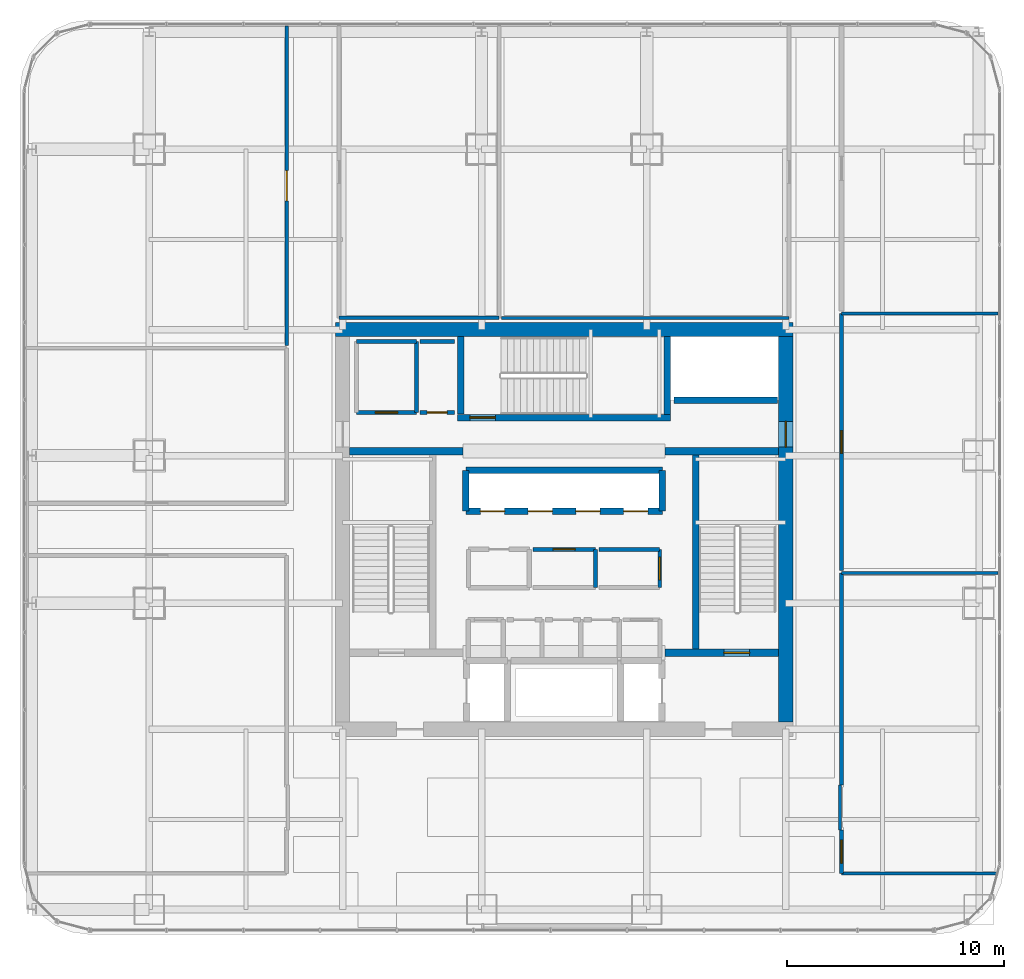
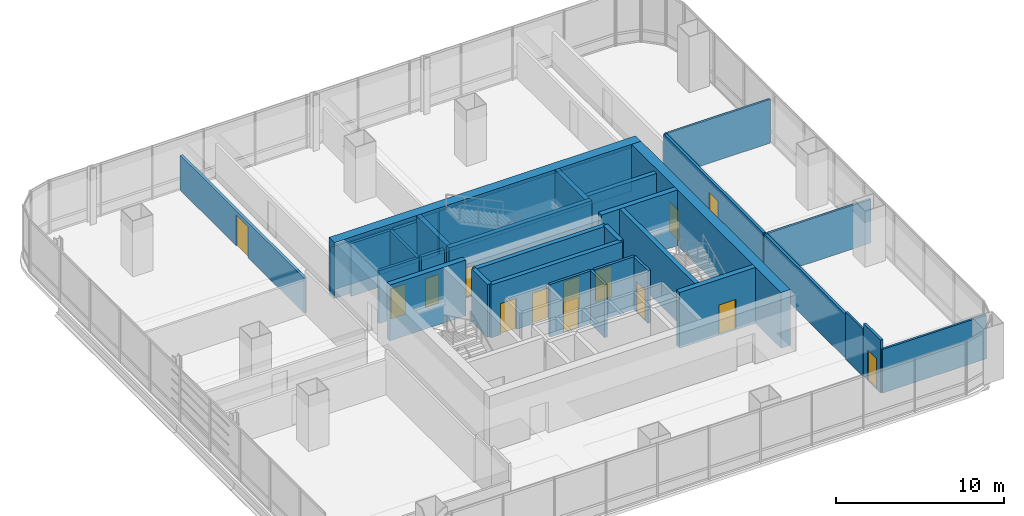
# One storey, part 31 of 38: 33 walls, 14 doors, 14 openings.
"""IFC4 building model written with IfcOpenShell, lengths in metres."""

from ifc_helpers import new_model, si_unit, direction, frame, frame_2d, origin, place, context, subcontext, project, spatial, rectangle, extrude, material, layer, layer_set, type_object, element, fill, save


model = new_model("IFC4")

# Units and contexts
model_context = context("Model", 3, precision=1e-05, world=origin(), true_north=direction((0.0, 1.0)))
body_context = subcontext(model_context, "Body", "Model", "MODEL_VIEW")
ifc_project = project(units=[si_unit("LENGTHUNIT", "METRE"), si_unit("AREAUNIT", "SQUARE_METRE"), si_unit("VOLUMEUNIT", "CUBIC_METRE"), si_unit("PLANEANGLEUNIT", "RADIAN"), si_unit("MASSUNIT", "GRAM", prefix="KILO")], contexts=[model_context])

# Site, building, storey
site_placement = place(None, origin())
site = spatial("IfcSite", under=ifc_project, at=site_placement, CompositionType="ELEMENT")
building_placement = place(site_placement, origin())
building = spatial("IfcBuilding", under=site, at=building_placement, Name="Punatoya Terracotta Tower", CompositionType="ELEMENT")
storey_placement = place(building_placement, frame((0.0, 0.0, 151.949951171875)))
storey = spatial("IfcBuildingStorey", under=building, at=storey_placement, Name="L35", CompositionType="ELEMENT", Elevation=151.949951171875)

# Wall
ifc_material_1 = material(Name="Concrete C60/75", Category="concrete")
ifc_layer_1 = layer(ifc_material_1, 0.64990234375)
ifc_layer_set_1 = layer_set([ifc_layer_1], Name="Concrete C60/75")
wall_type_1 = type_object("IfcWallType", Name="WL-COR-650", PredefinedType="SHEAR", material=ifc_layer_set_1)
wall_1_placement = place(storey_placement, frame((-10.52490234375, 9.199951171875, 0.0), z_axis=(0.0, 0.0, 1.0), x_axis=(1.0, 0.0, 0.0)))
element("IfcWall", 1, at=wall_1_placement, inside=storey, type_object=wall_type_1, Name="L35 Core Shear Wall N", PredefinedType="SHEAR", context=body_context, shape_type="SweptSolid", body=[
    extrude(rectangle(XDim=21.0498046875, YDim=0.64990234375, at=frame_2d((10.52490234375, 0.0))), origin(), (0.0, 0.0, 1.0), 4.050048828125),
])

# Wall, opening, door
wall_2_placement = place(storey_placement, frame((10.199951171875, 8.875, 0.0), z_axis=(0.0, 0.0, 1.0), x_axis=(0.0, -1.0, 0.0)))
wall_2 = element("IfcWall", 2, at=wall_2_placement, inside=storey, type_object=wall_type_1, Name="L35 Core Shear Wall E", PredefinedType="SHEAR", context=body_context, shape_type="SweptSolid", body=[
    extrude(rectangle(XDim=17.75, YDim=0.64990234375, at=frame_2d((8.875, 0.0))), origin(), (0.0, 0.0, 1.0), 4.050048828125),
])
opening_1_placement = place(wall_2_placement, frame((3.905029296875, 0.0, 0.0)))
opening_1 = element("IfcOpeningElement", 3, at=opening_1_placement, cuts=wall_2, Name="Opening SD-01", PredefinedType="OPENING", context=body_context, shape_type="SweptSolid", body=[
    extrude(rectangle(XDim=1.179931640625, YDim=2.199951171875, at=frame_2d((0.58984375, 1.10009765625))), frame((0.0, 0.3349609375, 0.0), z_axis=(0.0, -1.0, 0.0), x_axis=(1.0, 0.0, 0.0)), (0.0, 0.0, 1.0), 0.669921875),
])
ifc_material_2 = material(Name="Galvanised Steel Pressurized Stair Fire Door", Category="steel")
door_type_1 = type_object("IfcDoorType", Name="DR-STR-1180", OperationType="NOTDEFINED", PredefinedType="DOOR", material=ifc_material_2)
door_1_placement = place(opening_1_placement, origin())
door_1 = element("IfcDoor", 4, at=door_1_placement, inside=storey, type_object=door_type_1, Name="L35 Central Lift Lobby East Fire Door", OperationType="SINGLE_SWING_RIGHT", OverallHeight=2.199951171875, OverallWidth=1.179931640625, PredefinedType="DOOR", context=body_context, shape_type="SweptSolid", body=[
    extrude(rectangle(XDim=1.179931640625, YDim=2.199951171875, at=frame_2d((0.58984375, 1.10009765625))), frame((0.0, 0.02490234375, 0.0), z_axis=(0.0, -1.0, 0.0), x_axis=(1.0, 0.0, 0.0)), (0.0, 0.0, 1.0), 0.050048828125),
])
fill(opening_1, door_1)

# Wall
ifc_material_3 = material(Name="Gypsum Fireboard + Steel Stud", Category="steel")
ifc_layer_2 = layer(ifc_material_3, 0.179931640625)
ifc_layer_set_2 = layer_set([ifc_layer_2], Name="Gypsum Fireboard + Steel Stud")
wall_type_2 = type_object("IfcWallType", Name="WL-CORR-180", PredefinedType="PARTITIONING", material=ifc_layer_set_2)
wall_3_placement = place(storey_placement, frame((1.43994140625, -2.679931640625, 0.0), z_axis=(0.0, 0.0, 1.0), x_axis=(0.0, 1.0, 0.0)))
element("IfcWall", 5, at=wall_3_placement, inside=storey, type_object=wall_type_2, Name="L35 Center Core Briefing Pod Partition 16", PredefinedType="PARTITIONING", context=body_context, shape_type="SweptSolid", body=[
    extrude(rectangle(XDim=1.760009765625, YDim=0.179931640625, at=frame_2d((0.8798828125, 0.0))), origin(), (0.0, 0.0, 1.0), 3.830078125),
])

# Wall, opening, door
wall_4_placement = place(storey_placement, frame((1.43994140625, -0.919921875, 0.0), z_axis=(0.0, 0.0, 1.0), x_axis=(-1.0, 0.0, 0.0)))
wall_4 = element("IfcWall", 6, at=wall_4_placement, inside=storey, type_object=wall_type_2, Name="L35 Center Core Briefing Pod Partition 17", PredefinedType="PARTITIONING", context=body_context, shape_type="SweptSolid", body=[
    extrude(rectangle(XDim=2.8798828125, YDim=0.179931640625, at=frame_2d((1.43994140625, 0.0))), origin(), (0.0, 0.0, 1.0), 3.830078125),
])
opening_2_placement = place(wall_4_placement, frame((0.929931640625, 0.0, 0.0)))
opening_2 = element("IfcOpeningElement", 7, at=opening_2_placement, cuts=wall_4, Name="Opening MD-01", PredefinedType="OPENING", context=body_context, shape_type="SweptSolid", body=[
    extrude(rectangle(XDim=1.02001953125, YDim=2.199951171875, at=frame_2d((0.510009765625, 1.10009765625))), frame((0.0, 0.099853515625, 0.0), z_axis=(0.0, -1.0, 0.0), x_axis=(1.0, 0.0, 0.0)), (0.0, 0.0, 1.0), 0.199951171875),
])
ifc_material_4 = material(Name="Aluminium + Acoustic Glass Leaf", Category="aluminium")
door_type_2 = type_object("IfcDoorType", Name="DR-MTG-1020", OperationType="NOTDEFINED", PredefinedType="DOOR", material=ifc_material_4)
door_2_placement = place(opening_2_placement, origin())
door_2 = element("IfcDoor", 8, at=door_2_placement, inside=storey, type_object=door_type_2, Name="L35 Center Briefing Pod Door", OperationType="SINGLE_SWING_LEFT", OverallHeight=2.199951171875, OverallWidth=1.02001953125, PredefinedType="DOOR", context=body_context, shape_type="SweptSolid", body=[
    extrude(rectangle(XDim=1.02001953125, YDim=2.199951171875, at=frame_2d((0.510009765625, 1.10009765625))), frame((0.0, 0.02490234375, 0.0), z_axis=(0.0, -1.0, 0.0), x_axis=(1.0, 0.0, 0.0)), (0.0, 0.0, 1.0), 0.050048828125),
])
fill(opening_2, door_2)

wall_5_placement = place(storey_placement, frame((4.39990234375, -2.679931640625, 0.0), z_axis=(0.0, 0.0, 1.0), x_axis=(0.0, 1.0, 0.0)))
wall_5 = element("IfcWall", 9, at=wall_5_placement, inside=storey, type_object=wall_type_2, Name="L35 Right Core Copy Room Partition 19", PredefinedType="PARTITIONING", context=body_context, shape_type="SweptSolid", body=[
    extrude(rectangle(XDim=1.760009765625, YDim=0.179931640625, at=frame_2d((0.8798828125, 0.0))), origin(), (0.0, 0.0, 1.0), 3.830078125),
])
opening_3_placement = place(wall_5_placement, frame((0.35498046875, 0.0, 0.0)))
opening_3 = element("IfcOpeningElement", 10, at=opening_3_placement, cuts=wall_5, Name="Opening OD-01", PredefinedType="OPENING", context=body_context, shape_type="SweptSolid", body=[
    extrude(rectangle(XDim=1.050048828125, YDim=2.199951171875, at=frame_2d((0.52490234375, 1.10009765625))), frame((0.0, 0.099853515625, 0.0), z_axis=(0.0, -1.0, 0.0), x_axis=(1.0, 0.0, 0.0)), (0.0, 0.0, 1.0), 0.199951171875),
])
ifc_material_5 = material(Name="Bengal Teak Solid-Core Leaf")
door_type_3 = type_object("IfcDoorType", Name="DR-OFF-1050", OperationType="NOTDEFINED", PredefinedType="DOOR", material=ifc_material_5)
door_3_placement = place(opening_3_placement, origin())
door_3 = element("IfcDoor", 11, at=door_3_placement, inside=storey, type_object=door_type_3, Name="L35 Right Copy Room Door", OperationType="SINGLE_SWING_RIGHT", OverallHeight=2.199951171875, OverallWidth=1.050048828125, PredefinedType="DOOR", context=body_context, shape_type="SweptSolid", body=[
    extrude(rectangle(XDim=1.050048828125, YDim=2.199951171875, at=frame_2d((0.52490234375, 1.10009765625))), frame((0.0, 0.02490234375, 0.0), z_axis=(0.0, -1.0, 0.0), x_axis=(1.0, 0.0, 0.0)), (0.0, 0.0, 1.0), 0.050048828125),
])
fill(opening_3, door_3)

# Walls
wall_6_placement = place(storey_placement, frame((4.39990234375, -0.919921875, 0.0), z_axis=(0.0, 0.0, 1.0), x_axis=(-1.0, 0.0, 0.0)))
element("IfcWall", 12, at=wall_6_placement, inside=storey, type_object=wall_type_2, Name="L35 Right Core Copy Room Partition 20", PredefinedType="PARTITIONING", context=body_context, shape_type="SweptSolid", body=[
    extrude(rectangle(XDim=2.7998046875, YDim=0.179931640625, at=frame_2d((1.39990234375, 0.0))), origin(), (0.0, 0.0, 1.0), 3.830078125),
])
wall_7_placement = place(storey_placement, frame((-6.800048828125, 5.3798828125, 0.0), z_axis=(0.0, 0.0, 1.0), x_axis=(0.0, 1.0, 0.0)))
element("IfcWall", 13, at=wall_7_placement, inside=storey, type_object=wall_type_2, Name="L35 West Core Briefing Pod Partition 22", PredefinedType="PARTITIONING", context=body_context, shape_type="SweptSolid", body=[
    extrude(rectangle(XDim=3.27001953125, YDim=0.179931640625, at=frame_2d((1.635009765625, 0.0))), origin(), (0.0, 0.0, 1.0), 3.830078125),
])
wall_8_placement = place(storey_placement, frame((-6.800048828125, 8.64990234375, 0.0), z_axis=(0.0, 0.0, 1.0), x_axis=(-1.0, 0.0, 0.0)))
element("IfcWall", 14, at=wall_8_placement, inside=storey, type_object=wall_type_2, Name="L35 West Core Briefing Pod Partition 23", PredefinedType="PARTITIONING", context=body_context, shape_type="SweptSolid", body=[
    extrude(rectangle(XDim=2.75, YDim=0.179931640625, at=frame_2d((1.375, 0.0))), origin(), (0.0, 0.0, 1.0), 3.830078125),
])

# Wall, opening, door
wall_9_placement = place(storey_placement, frame((-9.550048828125, 5.3798828125, 0.0), z_axis=(0.0, 0.0, 1.0), x_axis=(1.0, 0.0, 0.0)))
wall_9 = element("IfcWall", 15, at=wall_9_placement, inside=storey, type_object=wall_type_2, Name="L35 West Core Briefing Pod Partition 25", PredefinedType="PARTITIONING", context=body_context, shape_type="SweptSolid", body=[
    extrude(rectangle(XDim=2.75, YDim=0.179931640625, at=frame_2d((1.375, 0.0))), origin(), (0.0, 0.0, 1.0), 3.830078125),
])
opening_4_placement = place(wall_9_placement, frame((0.864990234375, 0.0, 0.0)))
opening_4 = element("IfcOpeningElement", 16, at=opening_4_placement, cuts=wall_9, Name="Opening MD-01", PredefinedType="OPENING", context=body_context, shape_type="SweptSolid", body=[
    extrude(rectangle(XDim=1.02001953125, YDim=2.199951171875, at=frame_2d((0.510009765625, 1.10009765625))), frame((0.0, 0.099853515625, 0.0), z_axis=(0.0, -1.0, 0.0), x_axis=(1.0, 0.0, 0.0)), (0.0, 0.0, 1.0), 0.199951171875),
])
door_4_placement = place(opening_4_placement, origin())
door_4 = element("IfcDoor", 17, at=door_4_placement, inside=storey, type_object=door_type_2, Name="L35 West Briefing Pod Door", OperationType="SINGLE_SWING_LEFT", OverallHeight=2.199951171875, OverallWidth=1.02001953125, PredefinedType="DOOR", context=body_context, shape_type="SweptSolid", body=[
    extrude(rectangle(XDim=1.02001953125, YDim=2.199951171875, at=frame_2d((0.510009765625, 1.10009765625))), frame((0.0, 0.02490234375, 0.0), z_axis=(0.0, -1.0, 0.0), x_axis=(1.0, 0.0, 0.0)), (0.0, 0.0, 1.0), 0.050048828125),
])
fill(opening_4, door_4)

wall_10_placement = place(storey_placement, frame((12.77001953125, -15.840087890625, 0.0), z_axis=(0.0, 0.0, 1.0), x_axis=(0.0, 1.0, 0.0)))
wall_10 = element("IfcWall", 18, at=wall_10_placement, inside=storey, type_object=wall_type_2, Name="L35 Open-Plan Computational Simulation Laboratory Partition 29", PredefinedType="PARTITIONING", context=body_context, shape_type="SweptSolid", body=[
    extrude(rectangle(XDim=2.010009765625, YDim=0.179931640625, at=frame_2d((1.0048828125, 0.0))), origin(), (0.0, 0.0, 1.0), 3.830078125),
])
opening_5_placement = place(wall_10_placement, frame((0.47998046875, 0.0, 0.0)))
opening_5 = element("IfcOpeningElement", 19, at=opening_5_placement, cuts=wall_10, Name="Opening OD-01", PredefinedType="OPENING", context=body_context, shape_type="SweptSolid", body=[
    extrude(rectangle(XDim=1.050048828125, YDim=2.199951171875, at=frame_2d((0.52490234375, 1.10009765625))), frame((0.0, 0.099853515625, 0.0), z_axis=(0.0, -1.0, 0.0), x_axis=(1.0, 0.0, 0.0)), (0.0, 0.0, 1.0), 0.199951171875),
])
door_5_placement = place(opening_5_placement, origin())
door_5 = element("IfcDoor", 20, at=door_5_placement, inside=storey, type_object=door_type_3, Name="L35 Open-Plan Computational Simulation Laboratory Door", OperationType="SINGLE_SWING_LEFT", OverallHeight=2.199951171875, OverallWidth=1.050048828125, PredefinedType="DOOR", context=body_context, shape_type="SweptSolid", body=[
    extrude(rectangle(XDim=1.050048828125, YDim=2.199951171875, at=frame_2d((0.52490234375, 1.10009765625))), frame((0.0, 0.02490234375, 0.0), z_axis=(0.0, -1.0, 0.0), x_axis=(1.0, 0.0, 0.0)), (0.0, 0.0, 1.0), 0.050048828125),
])
fill(opening_5, door_5)

# Wall
wall_11_placement = place(storey_placement, frame((12.77001953125, -11.77001953125, 0.0), z_axis=(0.0, 0.0, 1.0), x_axis=(0.0, 1.0, 0.0)))
element("IfcWall", 21, at=wall_11_placement, inside=storey, type_object=wall_type_2, Name="L35 Open-Plan Computational Simulation Laboratory Partition 31", PredefinedType="PARTITIONING", context=body_context, shape_type="SweptSolid", body=[
    extrude(rectangle(XDim=9.757080078125, YDim=0.179931640625, at=frame_2d((4.87841796875, 0.0))), origin(), (0.0, 0.0, 1.0), 3.174072265625),
])

# Wall, opening, door
wall_12_placement = place(storey_placement, frame((12.77001953125, -1.89306640625, 0.0), z_axis=(0.0, 0.0, 1.0), x_axis=(0.0, 1.0, 0.0)))
wall_12 = element("IfcWall", 22, at=wall_12_placement, inside=storey, type_object=wall_type_2, Name="L35 Open-Plan Materials Testing Laboratory Partition 38", PredefinedType="PARTITIONING", context=body_context, shape_type="SweptSolid", body=[
    extrude(rectangle(XDim=11.8349609375, YDim=0.179931640625, at=frame_2d((5.91748046875, 0.0))), origin(), (0.0, 0.0, 1.0), 3.174072265625),
])
opening_6_placement = place(wall_12_placement, frame((5.392578125, 0.0, 0.0)))
opening_6 = element("IfcOpeningElement", 23, at=opening_6_placement, cuts=wall_12, Name="Opening OD-01", PredefinedType="OPENING", context=body_context, shape_type="SweptSolid", body=[
    extrude(rectangle(XDim=1.050048828125, YDim=2.199951171875, at=frame_2d((0.52490234375, 1.10009765625))), frame((0.0, 0.099853515625, 0.0), z_axis=(0.0, -1.0, 0.0), x_axis=(1.0, 0.0, 0.0)), (0.0, 0.0, 1.0), 0.199951171875),
])
door_6_placement = place(opening_6_placement, origin())
door_6 = element("IfcDoor", 24, at=door_6_placement, inside=storey, type_object=door_type_3, Name="L35 Open-Plan Materials Testing Laboratory Door", OperationType="SINGLE_SWING_LEFT", OverallHeight=2.199951171875, OverallWidth=1.050048828125, PredefinedType="DOOR", context=body_context, shape_type="SweptSolid", body=[
    extrude(rectangle(XDim=1.050048828125, YDim=2.199951171875, at=frame_2d((0.52490234375, 1.10009765625))), frame((0.0, 0.02490234375, 0.0), z_axis=(0.0, -1.0, 0.0), x_axis=(1.0, 0.0, 0.0)), (0.0, 0.0, 1.0), 0.050048828125),
])
fill(opening_6, door_6)

wall_13_placement = place(storey_placement, frame((-12.77001953125, 23.169921875, 0.0), z_axis=(0.0, 0.0, 1.0), x_axis=(0.0, -1.0, 0.0)))
wall_13 = element("IfcWall", 25, at=wall_13_placement, inside=storey, type_object=wall_type_2, Name="L35 Technical Seminar Room Partition 43", PredefinedType="PARTITIONING", context=body_context, shape_type="SweptSolid", body=[
    extrude(rectangle(XDim=14.700927734375, YDim=0.179931640625, at=frame_2d((7.3505859375, 0.0))), origin(), (0.0, 0.0, 1.0), 2.5439453125),
])
opening_7_placement = place(wall_13_placement, frame((6.650390625, 0.0, 0.0)))
opening_7 = element("IfcOpeningElement", 26, at=opening_7_placement, cuts=wall_13, Name="Opening BD-01", PredefinedType="OPENING", context=body_context, shape_type="SweptSolid", body=[
    extrude(rectangle(XDim=1.39990234375, YDim=2.25, at=frame_2d((0.699951171875, 1.125))), frame((0.0, 0.099853515625, 0.0), z_axis=(0.0, -1.0, 0.0), x_axis=(1.0, 0.0, 0.0)), (0.0, 0.0, 1.0), 0.199951171875),
])
ifc_material_6 = material(Name="Bengal Teak Acoustic Leaf")
door_type_4 = type_object("IfcDoorType", Name="DR-BRD-1400", OperationType="NOTDEFINED", PredefinedType="DOOR", material=ifc_material_6)
door_7_placement = place(opening_7_placement, origin())
door_7 = element("IfcDoor", 27, at=door_7_placement, inside=storey, type_object=door_type_4, Name="L35 Technical Seminar Room Door", OperationType="SINGLE_SWING_LEFT", OverallHeight=2.25, OverallWidth=1.39990234375, PredefinedType="DOOR", context=body_context, shape_type="SweptSolid", body=[
    extrude(rectangle(XDim=1.39990234375, YDim=2.25, at=frame_2d((0.699951171875, 1.125))), frame((0.0, 0.02490234375, 0.0), z_axis=(0.0, -1.0, 0.0), x_axis=(1.0, 0.0, 0.0)), (0.0, 0.0, 1.0), 0.050048828125),
])
fill(opening_7, door_7)

# Wall
ifc_material_7 = material(Name="Concrete C40/50", Category="concrete")
ifc_layer_3 = layer(ifc_material_7, 0.199951171875)
ifc_layer_set_3 = layer_set([ifc_layer_3], Name="Concrete C40/50")
wall_type_3 = type_object("IfcWallType", Name="WL-INT-200", PredefinedType="SOLIDWALL", material=ifc_layer_set_3)
wall_14_placement = place(storey_placement, frame((-5.050048828125, 8.64990234375, 0.0), z_axis=(0.0, 0.0, 1.0), x_axis=(-1.0, 0.0, 0.0)))
element("IfcWall", 28, at=wall_14_placement, inside=storey, type_object=wall_type_3, Name="L35 West Core Supply Store Partition 26", PredefinedType="SOLIDWALL", context=body_context, shape_type="SweptSolid", body=[
    extrude(rectangle(XDim=1.58984375, YDim=0.199951171875, at=frame_2d((0.794921875, 0.0))), origin(), (0.0, 0.0, 1.0), 3.830078125),
])

# Wall, opening, door
wall_15_placement = place(storey_placement, frame((-6.639892578125, 5.3798828125, 0.0), z_axis=(0.0, 0.0, 1.0), x_axis=(1.0, 0.0, 0.0)))
wall_15 = element("IfcWall", 29, at=wall_15_placement, inside=storey, type_object=wall_type_3, Name="L35 West Core Supply Store Partition 27", PredefinedType="SOLIDWALL", context=body_context, shape_type="SweptSolid", body=[
    extrude(rectangle(XDim=1.58984375, YDim=0.199951171875, at=frame_2d((0.794921875, 0.0))), origin(), (0.0, 0.0, 1.0), 3.830078125),
])
opening_8_placement = place(wall_15_placement, frame((0.3349609375, 0.0, 0.0)))
opening_8 = element("IfcOpeningElement", 30, at=opening_8_placement, cuts=wall_15, Name="Opening FD-R1", PredefinedType="OPENING", context=body_context, shape_type="SweptSolid", body=[
    extrude(rectangle(XDim=0.919921875, YDim=2.10009765625, at=frame_2d((0.4599609375, 1.050048828125))), frame((0.0, 0.10986328125, 0.0), z_axis=(0.0, -1.0, 0.0), x_axis=(1.0, 0.0, 0.0)), (0.0, 0.0, 1.0), 0.219970703125),
])
ifc_material_8 = material(Name="Galvanised Steel Riser Fire Access Door", Category="steel")
door_type_5 = type_object("IfcDoorType", Name="DR-RSR-920", OperationType="NOTDEFINED", PredefinedType="DOOR", material=ifc_material_8)
door_8_placement = place(opening_8_placement, origin())
door_8 = element("IfcDoor", 31, at=door_8_placement, inside=storey, type_object=door_type_5, Name="L35 West Core Supply Store Fire Door", OperationType="SINGLE_SWING_RIGHT", OverallHeight=2.10009765625, OverallWidth=0.919921875, PredefinedType="DOOR", context=body_context, shape_type="SweptSolid", body=[
    extrude(rectangle(XDim=0.919921875, YDim=2.10009765625, at=frame_2d((0.4599609375, 1.050048828125))), frame((0.0, 0.02490234375, 0.0), z_axis=(0.0, -1.0, 0.0), x_axis=(1.0, 0.0, 0.0)), (0.0, 0.0, 1.0), 0.050048828125),
])
fill(opening_8, door_8)

# Walls
ifc_material_9 = material(Name="Acoustic Gypsum + Steel Stud", Category="steel")
ifc_layer_4 = layer(ifc_material_9, 0.139892578125)
ifc_layer_set_4 = layer_set([ifc_layer_4], Name="Acoustic Gypsum + Steel Stud")
wall_type_4 = type_object("IfcWallType", Name="WL-OFF-140", PredefinedType="PARTITIONING", material=ifc_layer_set_4)
wall_16_placement = place(storey_placement, frame((19.916259765625, -15.840087890625, 0.0), z_axis=(0.0, 0.0, 1.0), x_axis=(-1.0, 0.0, 0.0)))
element("IfcWall", 32, at=wall_16_placement, inside=storey, type_object=wall_type_4, Name="L35 Open-Plan Computational Simulation Laboratory Partition 28", PredefinedType="PARTITIONING", context=body_context, shape_type="SweptSolid", body=[
    extrude(rectangle(XDim=7.146240234375, YDim=0.139892578125, at=frame_2d((3.5732421875, 0.0))), origin(), (0.0, 0.0, 1.0), 3.174072265625),
])
wall_17_placement = place(storey_placement, frame((12.7099609375, -13.830078125, 0.0), z_axis=(0.0, 0.0, 1.0), x_axis=(0.0, 1.0, 0.0)))
element("IfcWall", 33, at=wall_17_placement, inside=storey, type_object=wall_type_4, Name="L35 Open-Plan Computational Simulation Laboratory Partition 30", PredefinedType="PARTITIONING", context=body_context, shape_type="SweptSolid", body=[
    extrude(rectangle(XDim=2.06005859375, YDim=0.139892578125, at=frame_2d((1.030029296875, 0.0))), origin(), (0.0, 0.0, 1.0), 3.424072265625),
])
for number, where, z_axis, x_axis, name in (
    (34, (12.77001953125, -2.012939453125, 0.0), (0.0, 0.0, 1.0), (1.0, 0.0, 0.0), "L35 Open-Plan Computational Simulation Laboratory Partition 32"),
    (35, (12.77001953125, 9.94189453125, 0.0), (0.0, 0.0, 1.0), (1.0, 0.0, 0.0), "L35 Open-Plan Materials Testing Laboratory Partition 39"),
):
    element("IfcWall", number, at=place(storey_placement, frame(where, z_axis=z_axis, x_axis=x_axis)), inside=storey, type_object=wall_type_4, Name=name, PredefinedType="PARTITIONING", context=body_context, shape_type="SweptSolid", body=[
        extrude(rectangle(XDim=7.199951171875, YDim=0.139892578125, at=frame_2d((3.60009765625, 0.0))), origin(), (0.0, 0.0, 1.0), 3.174072265625),
    ])
wall_18_placement = place(storey_placement, frame((10.360107421875, 9.739990234375, 0.0), z_axis=(0.0, 0.0, 1.0), x_axis=(-1.0, 0.0, 0.0)))
element("IfcWall", 36, at=wall_18_placement, inside=storey, type_object=wall_type_4, Name="L35 Wellness Rest Room Partition 47", PredefinedType="PARTITIONING", context=body_context, shape_type="SweptSolid", body=[
    extrude(rectangle(XDim=13.234130859375, YDim=0.139892578125, at=frame_2d((6.6171875, 0.0))), origin(), (0.0, 0.0, 1.0), 3.174072265625),
])
ifc_layer_5 = layer(ifc_material_7, 0.300048828125)
ifc_layer_set_5 = layer_set([ifc_layer_5], Name="Concrete C40/50")
wall_type_5 = type_object("IfcWallType", Name="WL-SHF-300", PredefinedType="SOLIDWALL", material=ifc_layer_set_5)
wall_19_placement = place(storey_placement, frame((6.050048828125, 3.449951171875, 0.0), z_axis=(0.0, 0.0, 1.0), x_axis=(0.0, -1.0, 0.0)))
element("IfcWall", 37, at=wall_19_placement, inside=storey, type_object=wall_type_5, Name="L35 Structural Stair Shaft Wall SW-ST2-W", PredefinedType="SOLIDWALL", context=body_context, shape_type="SweptSolid", body=[
    extrude(rectangle(XDim=8.949951171875, YDim=0.300048828125, at=frame_2d((4.47509765625, 0.0))), origin(), (0.0, 0.0, 1.0), 4.050048828125),
])
for number, where, z_axis, x_axis, name in (
    (38, (-4.75, 5.300048828125, 0.0), (0.0, 0.0, 1.0), (0.0, 1.0, 0.0), "L35 Structural Stair Shaft Wall SW-ST3-W"),
    (39, (4.75, 8.875, 0.0), (0.0, 0.0, 1.0), (0.0, -1.0, 0.0), "L35 Structural Stair Shaft Wall SW-ST3-E"),
):
    element("IfcWall", number, at=place(storey_placement, frame(where, z_axis=z_axis, x_axis=x_axis)), inside=storey, type_object=wall_type_5, Name=name, PredefinedType="SOLIDWALL", context=body_context, shape_type="SweptSolid", body=[
        extrude(rectangle(XDim=3.574951171875, YDim=0.300048828125, at=frame_2d((1.78759765625, 0.0))), origin(), (0.0, 0.0, 1.0), 4.050048828125),
    ])

# Wall, opening, door
wall_20_placement = place(storey_placement, frame((-4.89990234375, 5.14990234375, 0.0), z_axis=(0.0, 0.0, 1.0), x_axis=(1.0, 0.0, 0.0)))
wall_20 = element("IfcWall", 40, at=wall_20_placement, inside=storey, type_object=wall_type_5, Name="L35 Structural Stair Shaft Wall SW-ST3-S", PredefinedType="SOLIDWALL", context=body_context, shape_type="SweptSolid", body=[
    extrude(rectangle(XDim=9.7998046875, YDim=0.300048828125, at=frame_2d((4.89990234375, 0.0))), origin(), (0.0, 0.0, 1.0), 4.050048828125),
])
opening_9_placement = place(wall_20_placement, frame((0.56005859375, 0.0, 0.0)))
opening_9 = element("IfcOpeningElement", 41, at=opening_9_placement, cuts=wall_20, Name="Opening SD-01", PredefinedType="OPENING", context=body_context, shape_type="SweptSolid", body=[
    extrude(rectangle(XDim=1.179931640625, YDim=2.199951171875, at=frame_2d((0.58984375, 1.10009765625))), frame((0.0, 0.159912109375, 0.0), z_axis=(0.0, -1.0, 0.0), x_axis=(1.0, 0.0, 0.0)), (0.0, 0.0, 1.0), 0.320068359375),
])
door_9_placement = place(opening_9_placement, origin())
door_9 = element("IfcDoor", 42, at=door_9_placement, inside=storey, type_object=door_type_1, Name="L35 Stair ST-3 Core Lobby Fire Door", OperationType="SINGLE_SWING_LEFT", OverallHeight=2.199951171875, OverallWidth=1.179931640625, PredefinedType="DOOR", context=body_context, shape_type="SweptSolid", body=[
    extrude(rectangle(XDim=1.179931640625, YDim=2.199951171875, at=frame_2d((0.58984375, 1.10009765625))), frame((0.0, 0.02490234375, 0.0), z_axis=(0.0, -1.0, 0.0), x_axis=(1.0, 0.0, 0.0)), (0.0, 0.0, 1.0), 0.050048828125),
])
fill(opening_9, door_9)

# Wall, openings, doors
wall_21_placement = place(storey_placement, frame((-4.52001953125, 0.840087890625, 0.0), z_axis=(0.0, 0.0, 1.0), x_axis=(1.0, 0.0, 0.0)))
wall_21 = element("IfcWall", 43, at=wall_21_placement, inside=storey, type_object=wall_type_5, Name="L35 North Lift Bank Front Shaft Wall", PredefinedType="SOLIDWALL", context=body_context, shape_type="SweptSolid", body=[
    extrude(rectangle(XDim=9.0400390625, YDim=0.300048828125, at=frame_2d((4.52001953125, 0.0))), origin(), (0.0, 0.0, 1.0), 3.830078125),
])
opening_10_placement = place(wall_21_placement, frame((0.659912109375, 0.0, 0.0)))
opening_10 = element("IfcOpeningElement", 44, at=opening_10_placement, cuts=wall_21, Name="Opening LD-02", PredefinedType="OPENING", context=body_context, shape_type="SweptSolid", body=[
    extrude(rectangle(XDim=1.1201171875, YDim=2.25, at=frame_2d((0.56005859375, 1.125))), frame((0.0, 0.159912109375, 0.0), z_axis=(0.0, -1.0, 0.0), x_axis=(1.0, 0.0, 0.0)), (0.0, 0.0, 1.0), 0.320068359375),
])
opening_11_placement = place(wall_21_placement, frame((2.860107421875, 0.0, 0.0)))
opening_11 = element("IfcOpeningElement", 45, at=opening_11_placement, cuts=wall_21, Name="Opening LD-02", PredefinedType="OPENING", context=body_context, shape_type="SweptSolid", body=[
    extrude(rectangle(XDim=1.1201171875, YDim=2.25, at=frame_2d((0.56005859375, 1.125))), frame((0.0, 0.159912109375, 0.0), z_axis=(0.0, -1.0, 0.0), x_axis=(1.0, 0.0, 0.0)), (0.0, 0.0, 1.0), 0.320068359375),
])
opening_12_placement = place(wall_21_placement, frame((5.06005859375, 0.0, 0.0)))
opening_12 = element("IfcOpeningElement", 46, at=opening_12_placement, cuts=wall_21, Name="Opening LD-02", PredefinedType="OPENING", context=body_context, shape_type="SweptSolid", body=[
    extrude(rectangle(XDim=1.1201171875, YDim=2.25, at=frame_2d((0.56005859375, 1.125))), frame((0.0, 0.159912109375, 0.0), z_axis=(0.0, -1.0, 0.0), x_axis=(1.0, 0.0, 0.0)), (0.0, 0.0, 1.0), 0.320068359375),
])
opening_13_placement = place(wall_21_placement, frame((7.260009765625, 0.0, 0.0)))
opening_13 = element("IfcOpeningElement", 47, at=opening_13_placement, cuts=wall_21, Name="Opening LD-02", PredefinedType="OPENING", context=body_context, shape_type="SweptSolid", body=[
    extrude(rectangle(XDim=1.1201171875, YDim=2.25, at=frame_2d((0.56005859375, 1.125))), frame((0.0, 0.159912109375, 0.0), z_axis=(0.0, -1.0, 0.0), x_axis=(1.0, 0.0, 0.0)), (0.0, 0.0, 1.0), 0.320068359375),
])
ifc_material_10 = material(Name="Stainless Steel Lift Landing Door", Category="steel")
door_type_6 = type_object("IfcDoorType", Name="DR-LND-1120", OperationType="NOTDEFINED", PredefinedType="DOOR", material=ifc_material_10)
door_10_placement = place(opening_10_placement, origin())
door_10 = element("IfcDoor", 48, at=door_10_placement, inside=storey, type_object=door_type_6, Name="L35 Lift PL-M1 Sliding Landing Door", OperationType="DOUBLE_DOOR_SLIDING", OverallHeight=2.25, OverallWidth=1.1201171875, PredefinedType="DOOR", context=body_context, shape_type="SweptSolid", body=[
    extrude(rectangle(XDim=1.1201171875, YDim=2.25, at=frame_2d((0.56005859375, 1.125))), frame((0.0, 0.02490234375, 0.0), z_axis=(0.0, -1.0, 0.0), x_axis=(1.0, 0.0, 0.0)), (0.0, 0.0, 1.0), 0.050048828125),
])
fill(opening_10, door_10)
door_11_placement = place(opening_11_placement, origin())
door_11 = element("IfcDoor", 49, at=door_11_placement, inside=storey, type_object=door_type_6, Name="L35 Lift PL-M2 Sliding Landing Door", OperationType="DOUBLE_DOOR_SLIDING", OverallHeight=2.25, OverallWidth=1.1201171875, PredefinedType="DOOR", context=body_context, shape_type="SweptSolid", body=[
    extrude(rectangle(XDim=1.1201171875, YDim=2.25, at=frame_2d((0.56005859375, 1.125))), frame((0.0, 0.02490234375, 0.0), z_axis=(0.0, -1.0, 0.0), x_axis=(1.0, 0.0, 0.0)), (0.0, 0.0, 1.0), 0.050048828125),
])
fill(opening_11, door_11)
door_12_placement = place(opening_12_placement, origin())
door_12 = element("IfcDoor", 50, at=door_12_placement, inside=storey, type_object=door_type_6, Name="L35 Lift PL-M3 Sliding Landing Door", OperationType="DOUBLE_DOOR_SLIDING", OverallHeight=2.25, OverallWidth=1.1201171875, PredefinedType="DOOR", context=body_context, shape_type="SweptSolid", body=[
    extrude(rectangle(XDim=1.1201171875, YDim=2.25, at=frame_2d((0.56005859375, 1.125))), frame((0.0, 0.02490234375, 0.0), z_axis=(0.0, -1.0, 0.0), x_axis=(1.0, 0.0, 0.0)), (0.0, 0.0, 1.0), 0.050048828125),
])
fill(opening_12, door_12)
door_13_placement = place(opening_13_placement, origin())
door_13 = element("IfcDoor", 51, at=door_13_placement, inside=storey, type_object=door_type_6, Name="L35 Lift PL-M4 Sliding Landing Door", OperationType="DOUBLE_DOOR_SLIDING", OverallHeight=2.25, OverallWidth=1.1201171875, PredefinedType="DOOR", context=body_context, shape_type="SweptSolid", body=[
    extrude(rectangle(XDim=1.1201171875, YDim=2.25, at=frame_2d((0.56005859375, 1.125))), frame((0.0, 0.02490234375, 0.0), z_axis=(0.0, -1.0, 0.0), x_axis=(1.0, 0.0, 0.0)), (0.0, 0.0, 1.0), 0.050048828125),
])
fill(opening_13, door_13)

# Walls
wall_22_placement = place(storey_placement, frame((-4.52001953125, 2.719970703125, 0.0), z_axis=(0.0, 0.0, 1.0), x_axis=(1.0, 0.0, 0.0)))
element("IfcWall", 52, at=wall_22_placement, inside=storey, type_object=wall_type_5, Name="L35 North Lift Bank Rear Shaft Wall", PredefinedType="SOLIDWALL", context=body_context, shape_type="SweptSolid", body=[
    extrude(rectangle(XDim=9.0400390625, YDim=0.300048828125, at=frame_2d((4.52001953125, 0.0))), origin(), (0.0, 0.0, 1.0), 3.830078125),
])
for number, where, z_axis, x_axis, name in (
    (53, (-4.52001953125, 0.840087890625, 0.0), (0.0, 0.0, 1.0), (0.0, 1.0, 0.0), "L35 North Lift Bank West End Wall"),
    (54, (4.52001953125, 0.840087890625, 0.0), (0.0, 0.0, 1.0), (0.0, 1.0, 0.0), "L35 North Lift Bank East End Wall"),
):
    element("IfcWall", number, at=place(storey_placement, frame(where, z_axis=z_axis, x_axis=x_axis)), inside=storey, type_object=wall_type_5, Name=name, PredefinedType="SOLIDWALL", context=body_context, shape_type="SweptSolid", body=[
        extrude(rectangle(XDim=1.8798828125, YDim=0.300048828125, at=frame_2d((0.93994140625, 0.0))), origin(), (0.0, 0.0, 1.0), 3.830078125),
    ])
wall_23_placement = place(storey_placement, frame((5.06005859375, 5.949951171875, 0.0), z_axis=(0.0, 0.0, 1.0), x_axis=(1.0, 0.0, 0.0)))
element("IfcWall", 55, at=wall_23_placement, inside=storey, type_object=wall_type_5, Name="L35 Shuttle SL-2 South Hoistway Wall", PredefinedType="SOLIDWALL", context=body_context, shape_type="SweptSolid", body=[
    extrude(rectangle(XDim=4.760009765625, YDim=0.300048828125, at=frame_2d((2.3798828125, 0.0))), origin(), (0.0, 0.0, 1.0), 3.830078125),
])

# Wall, opening, door
ifc_material_11 = material(Name="Concrete C50/60", Category="concrete")
ifc_layer_6 = layer(ifc_material_11, 0.35009765625)
ifc_layer_set_6 = layer_set([ifc_layer_6], Name="Concrete C50/60")
wall_type_6 = type_object("IfcWallType", Name="WL-SHF-350", PredefinedType="SOLIDWALL", material=ifc_layer_set_6)
wall_24_placement = place(storey_placement, frame((4.64990234375, -5.679931640625, 0.0), z_axis=(0.0, 0.0, 1.0), x_axis=(1.0, 0.0, 0.0)))
wall_24 = element("IfcWall", 56, at=wall_24_placement, inside=storey, type_object=wall_type_6, Name="L35 Core Web Wall CSW-R", PredefinedType="SOLIDWALL", context=body_context, shape_type="SweptSolid", body=[
    extrude(rectangle(XDim=5.22509765625, YDim=0.35009765625, at=frame_2d((2.612548828125, 0.0))), origin(), (0.0, 0.0, 1.0), 4.050048828125),
])
opening_14_placement = place(wall_24_placement, frame((2.7099609375, 0.0, 0.0)))
opening_14 = element("IfcOpeningElement", 57, at=opening_14_placement, cuts=wall_24, Name="Opening SD-01", PredefinedType="OPENING", context=body_context, shape_type="SweptSolid", body=[
    extrude(rectangle(XDim=1.179931640625, YDim=2.199951171875, at=frame_2d((0.58984375, 1.10009765625))), frame((0.0, 0.18505859375, 0.0), z_axis=(0.0, -1.0, 0.0), x_axis=(1.0, 0.0, 0.0)), (0.0, 0.0, 1.0), 0.3701171875),
])
door_14_placement = place(opening_14_placement, origin())
door_14 = element("IfcDoor", 58, at=door_14_placement, inside=storey, type_object=door_type_1, Name="L35 Stair ST-2 Smokeproof Lobby Fire Door", OperationType="SINGLE_SWING_RIGHT", OverallHeight=2.199951171875, OverallWidth=1.179931640625, PredefinedType="DOOR", context=body_context, shape_type="SweptSolid", body=[
    extrude(rectangle(XDim=1.179931640625, YDim=2.199951171875, at=frame_2d((0.58984375, 1.10009765625))), frame((0.0, 0.02490234375, 0.0), z_axis=(0.0, -1.0, 0.0), x_axis=(1.0, 0.0, 0.0)), (0.0, 0.0, 1.0), 0.050048828125),
])
fill(opening_14, door_14)

# Walls
for number, where, z_axis, x_axis, name in (
    (59, (-9.875, 3.60009765625, 0.0), (0.0, 0.0, 1.0), (1.0, 0.0, 0.0), "L35 Core Web Wall CNW-L"),
    (60, (4.64990234375, 3.60009765625, 0.0), (0.0, 0.0, 1.0), (1.0, 0.0, 0.0), "L35 Core Web Wall CNW-R"),
):
    element("IfcWall", number, at=place(storey_placement, frame(where, z_axis=z_axis, x_axis=x_axis)), inside=storey, type_object=wall_type_6, Name=name, PredefinedType="SOLIDWALL", context=body_context, shape_type="SweptSolid", body=[
        extrude(rectangle(XDim=5.22509765625, YDim=0.35009765625, at=frame_2d((2.612548828125, 0.0))), origin(), (0.0, 0.0, 1.0), 4.050048828125),
    ])
ifc_material_12 = material(Name="Masonry Blockwork + Ceramic Tile", Category="masonry")
ifc_layer_7 = layer(ifc_material_12, 0.159912109375)
ifc_layer_set_7 = layer_set([ifc_layer_7], Name="Masonry Blockwork + Ceramic Tile")
wall_type_7 = type_object("IfcWallType", Name="WL-WET-160", PredefinedType="PARTITIONING", material=ifc_layer_set_7)
wall_25_placement = place(storey_placement, frame((-2.993896484375, 9.739990234375, 0.0), z_axis=(0.0, 0.0, 1.0), x_axis=(-1.0, 0.0, 0.0)))
element("IfcWall", 61, at=wall_25_placement, inside=storey, type_object=wall_type_7, Name="L35 Open-Plan Laboratory Staff Pantry Partition 45", PredefinedType="PARTITIONING", context=body_context, shape_type="SweptSolid", body=[
    extrude(rectangle(XDim=7.3662109375, YDim=0.159912109375, at=frame_2d((3.68310546875, 0.0))), origin(), (0.0, 0.0, 1.0), 3.174072265625),
])

save(model, "model.ifc")
